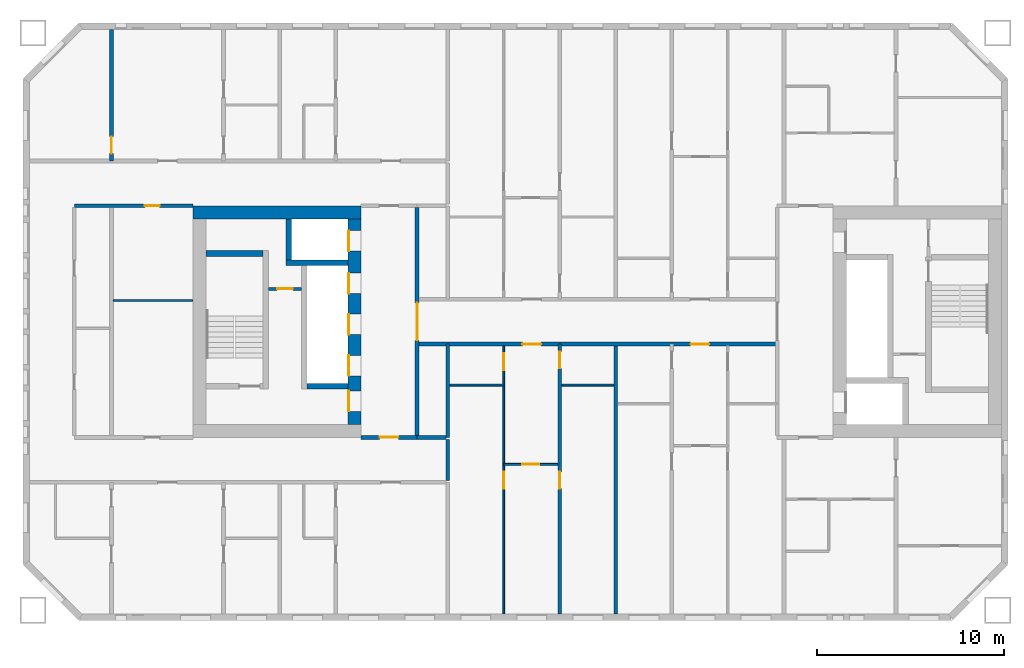
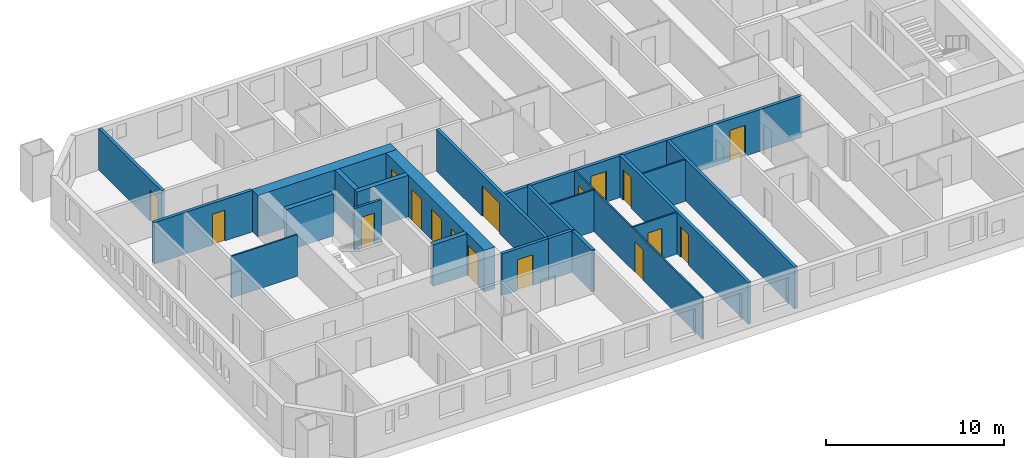
# One storey, part 4 of 17: 22 walls, 17 doors, 17 openings.
"""IFC4 building model written with IfcOpenShell, lengths in metres."""

import ifcopenshell
import ifcopenshell.guid

model = None  # the IFC model being written
_history = None  # IfcOwnerHistory: only IFC2X3 demands one
_inside = {}  # id of a spatial element -> (the spatial element, [elements in it])
_under = {}  # id of a project, library or spatial element -> (it, [spatial elements below it])
_declared = {}  # id of a project -> (the project, [libraries it declares])
_typed = {}  # id of a type object -> (the type object, [elements of that type])
_made_of = {}  # id of a material, layer set ... -> (it, [elements and type objects made of it])


def new_model(schema):
    """Start an empty IFC model of exactly this schema.

    Asked for "IFC4X3", IfcOpenShell would pick the latest addendum, in which some entities
    have other attributes; the version numbers below select the first issue.
    IFC2X3 requires an IfcOwnerHistory on every rooted entity: one is made here for all.
    """
    global model, _history
    if schema == "IFC4X3":
        model = ifcopenshell.file(schema_version=(4, 3, 0, 0))
    else:
        model = ifcopenshell.file(schema=schema)
    _inside.clear()
    _under.clear()
    _declared.clear()
    _typed.clear()
    _made_of.clear()
    _history = None
    if model.schema == "IFC2X3":
        org = make("IfcOrganization", Name="unknown")
        user = make(
            "IfcPersonAndOrganization",
            ThePerson=make("IfcPerson", FamilyName="unknown"),
            TheOrganization=org,
        )
        app = make(
            "IfcApplication",
            ApplicationDeveloper=org,
            Version="unknown",
            ApplicationFullName="unknown",
            ApplicationIdentifier="unknown",
        )
        _history = make(
            "IfcOwnerHistory",
            OwningUser=user,
            OwningApplication=app,
            ChangeAction="ADDED",
            CreationDate=0,
        )
    return model


def make(cls, **values):
    """One entity of the class cls with the attributes given. An attribute that is None is left unset."""
    return model.create_entity(
        cls, **{name: value for name, value in values.items() if value is not None}
    )


def rooted(cls, **values):
    """An entity with a GlobalId (a new one), such as an element, a storey or a relation."""
    return make(cls, GlobalId=ifcopenshell.guid.new(), OwnerHistory=_history, **values)


def si_unit(unit_type, name, prefix=None):
    """IfcSIUnit, for example si_unit("LENGTHUNIT", "METRE", prefix="MILLI")."""
    return make("IfcSIUnit", UnitType=unit_type, Prefix=prefix, Name=name)


def assignment(units):
    """IfcUnitAssignment: the units of a project."""
    return None if units is None else make("IfcUnitAssignment", Units=units)


def point(xyz):
    """IfcCartesianPoint."""
    return None if xyz is None else make("IfcCartesianPoint", Coordinates=xyz)


def direction(xyz):
    """IfcDirection."""
    return None if xyz is None else make("IfcDirection", DirectionRatios=xyz)


def frame(location, z_axis=None, x_axis=None):
    """IfcAxis2Placement3D, a coordinate frame: its origin and axes. An axis left out is left unset."""
    return make(
        "IfcAxis2Placement3D",
        Location=point(location),
        Axis=direction(z_axis),
        RefDirection=direction(x_axis),
    )


def frame_2d(location, x_axis=None):
    """IfcAxis2Placement2D, a coordinate frame in the plane: its origin and x axis."""
    return make(
        "IfcAxis2Placement2D", Location=point(location), RefDirection=direction(x_axis)
    )


def origin():
    """The frame at (0, 0, 0) with its axes left unset."""
    return frame((0.0, 0.0, 0.0))


def place(relative_to, where):
    """IfcLocalPlacement: puts the frame where relative to a parent placement (None: the world)."""
    return make(
        "IfcLocalPlacement", PlacementRelTo=relative_to, RelativePlacement=where
    )


def context(
    kind, dimensions, precision=None, world=None, true_north=None, identifier=None
):
    """IfcGeometricRepresentationContext, for example the 3D "Model" context."""
    return make(
        "IfcGeometricRepresentationContext",
        ContextIdentifier=identifier,
        ContextType=kind,
        CoordinateSpaceDimension=dimensions,
        Precision=precision,
        WorldCoordinateSystem=world,
        TrueNorth=true_north,
    )


def subcontext(parent, identifier, kind, view, scale=None):
    """IfcGeometricRepresentationSubContext, for example "Body" below "Model"."""
    return make(
        "IfcGeometricRepresentationSubContext",
        ContextIdentifier=identifier,
        ContextType=kind,
        ParentContext=parent,
        TargetScale=scale,
        TargetView=view,
    )


def project(units=None, contexts=None):
    """IfcProject with its units and contexts."""
    return rooted(
        "IfcProject",
        Name="project",
        RepresentationContexts=contexts,
        UnitsInContext=assignment(units),
    )


def spatial(cls, under=None, at=None, **own):
    """A site, building, storey or space (cls), placed at a placement, below another one or the project."""
    s = rooted(cls, ObjectPlacement=at, **own)
    if under is not None:
        _under.setdefault(under.id(), (under, []))[1].append(s)
    return s


def profile(cls, at=None, kind="AREA", **sizes):
    """A parametric profile (cls). Its sizes go by their IFC names, for example OverallWidth=200.0."""
    return make(cls, ProfileType=kind, Position=at, **sizes)


def rectangle(**sizes):
    """IfcRectangleProfileDef."""
    return profile("IfcRectangleProfileDef", **sizes)


def extrude(swept, where, along, depth):
    """IfcExtrudedAreaSolid: the profile swept, set in the frame where, extruded along a direction by depth."""
    return make(
        "IfcExtrudedAreaSolid",
        SweptArea=swept,
        Position=where,
        ExtrudedDirection=direction(along),
        Depth=depth,
    )


def shape(context_of_items, identifier, shape_type, items):
    """IfcShapeRepresentation: the items that make up one representation, for example the "Body"."""
    return make(
        "IfcShapeRepresentation",
        ContextOfItems=context_of_items,
        RepresentationIdentifier=identifier,
        RepresentationType=shape_type,
        Items=items,
    )


def material(Name=None, Category=None):
    """IfcMaterial."""
    return make("IfcMaterial", Name=Name, Category=Category)


def layer(
    of_material, thickness, ventilated=None, Name=None, Category=None, Priority=None
):
    """IfcMaterialLayer: one layer of a wall or slab, of a material (None: an air gap)."""
    return make(
        "IfcMaterialLayer",
        Material=of_material,
        LayerThickness=thickness,
        IsVentilated=ventilated,
        Name=Name,
        Category=Category,
        Priority=Priority,
    )


def layer_set(layers, Name=None):
    """IfcMaterialLayerSet."""
    return make("IfcMaterialLayerSet", MaterialLayers=layers, LayerSetName=Name)


def made_of(thing, what):
    """Note that an element or type object is made of a material, layer set ...; save() writes the relation."""
    if what is not None:
        _made_of.setdefault(what.id(), (what, []))[1].append(thing)
    return thing


def type_object(cls, material=None, **own):
    """A type object (cls), such as IfcWallType, which elements share."""
    return made_of(rooted(cls, **own), material)


def element(
    cls,
    number,
    at=None,
    inside=None,
    cuts=None,
    type_object=None,
    material=None,
    context=None,
    identifier="Body",
    shape_type=None,
    held_by="IfcProductDefinitionShape",
    body=None,
    shapes=None,
    **own,
):
    """One element of the class cls, such as IfcWall. Its Tag is "e" and its number.

    at: its placement. inside: the storey or other place that contains it. cuts: it is an
    opening in that element (IfcRelVoidsElement). A single representation is given by context,
    identifier, shape_type and body (its items); several are given by shapes. held_by: the class
    of the entity that holds the representations. save() writes the other relations.
    """
    e = rooted(cls, Tag="e%d" % number, ObjectPlacement=at, **own)
    if body is not None:
        shapes = [shape(context, identifier, shape_type, body)]
    if shapes is not None:
        e.Representation = make(held_by, Representations=shapes)
    if inside is not None:
        _inside.setdefault(inside.id(), (inside, []))[1].append(e)
    if cuts is not None:
        rooted(
            "IfcRelVoidsElement", RelatingBuildingElement=cuts, RelatedOpeningElement=e
        )
    if type_object is not None:
        _typed.setdefault(type_object.id(), (type_object, []))[1].append(e)
    return made_of(e, material)


def fill(opening, filler):
    """IfcRelFillsElement: the door or window that sits in an opening."""
    return rooted(
        "IfcRelFillsElement",
        RelatingOpeningElement=opening,
        RelatedBuildingElement=filler,
    )


def aggregate(whole, parts):
    """IfcRelAggregates: a whole, such as a stair, and the parts it consists of."""
    return rooted("IfcRelAggregates", RelatingObject=whole, RelatedObjects=parts)


def save(model, path):
    """Write the relations noted so far, then the file.

    IfcRelAggregates (storeys below a building ...), IfcRelContainedInSpatialStructure (elements
    in a storey), IfcRelDefinesByType, IfcRelAssociatesMaterial and IfcRelDeclares: one each for
    every whole, place, type object, material and project.
    """
    for whole, parts in _under.values():
        aggregate(whole, parts)
    for where, things in _inside.values():
        rooted(
            "IfcRelContainedInSpatialStructure",
            RelatedElements=things,
            RelatingStructure=where,
        )
    for kind, things in _typed.values():
        rooted("IfcRelDefinesByType", RelatedObjects=things, RelatingType=kind)
    for what, things in _made_of.values():
        rooted("IfcRelAssociatesMaterial", RelatedObjects=things, RelatingMaterial=what)
    for by, libraries in _declared.values():
        rooted("IfcRelDeclares", RelatingContext=by, RelatedDefinitions=libraries)
    model.write(path)


model = new_model("IFC4")

# Units and contexts
model_context = context("Model", 3, precision=1e-05, world=origin(), true_north=direction((0.0, 1.0)))
body_context = subcontext(model_context, "Body", "Model", "MODEL_VIEW")
ifc_project = project(units=[si_unit("LENGTHUNIT", "METRE"), si_unit("AREAUNIT", "SQUARE_METRE"), si_unit("VOLUMEUNIT", "CUBIC_METRE"), si_unit("PLANEANGLEUNIT", "RADIAN"), si_unit("MASSUNIT", "GRAM", prefix="KILO")], contexts=[model_context])

# Site, building, storey
site_placement = place(None, origin())
site = spatial("IfcSite", under=ifc_project, at=site_placement, CompositionType="ELEMENT")
building_placement = place(site_placement, origin())
building = spatial("IfcBuilding", under=site, at=building_placement, Name="Tuart Gate Housing", CompositionType="ELEMENT")
storey_placement = place(building_placement, frame((0.0, 0.0, 71.60009765625)))
storey = spatial("IfcBuildingStorey", under=building, at=storey_placement, Name="L19", CompositionType="ELEMENT", Elevation=71.60009765625)

# Wall, opening, door
ifc_material_1 = material(Name="Plasterboard partition")
ifc_layer_1 = layer(ifc_material_1, 0.14990234375)
ifc_layer_set_1 = layer_set([ifc_layer_1], Name="Core partition 150")
wall_type_1 = type_object("IfcWallType", Name="Core partition 150", PredefinedType="PARTITIONING", material=ifc_layer_set_1)
wall_1_placement = place(storey_placement, frame((38.159912109375, 71.75, 0.0), z_axis=(0.0, 0.0, 1.0), x_axis=(-1.0, 0.0, 0.0)))
wall_1 = element("IfcWall", 1, at=wall_1_placement, inside=storey, type_object=wall_type_1, Name="Core partition AK.3", PredefinedType="PARTITIONING", context=body_context, shape_type="SweptSolid", body=[
    extrude(rectangle(XDim=1.75, YDim=0.14990234375, at=frame_2d((0.875, 0.0))), origin(), (0.0, 0.0, 1.0), 2.849853515625),
])
opening_1_placement = place(wall_1_placement, frame((0.449951171875, 0.0, 0.0)))
opening_1 = element("IfcOpeningElement", 2, at=opening_1_placement, cuts=wall_1, Name="Opening D858", PredefinedType="OPENING", context=body_context, shape_type="SweptSolid", body=[
    extrude(rectangle(XDim=0.85009765625, YDim=2.10009765625, at=frame_2d((0.425048828125, 1.050048828125))), frame((0.0, 0.0849609375, 0.0), z_axis=(0.0, -1.0, 0.0), x_axis=(1.0, 0.0, 0.0)), (0.0, 0.0, 1.0), 0.169921875),
])
ifc_material_2 = material(Name="Steel fire door", Category="steel")
door_type_1 = type_object("IfcDoorType", Name="Riser door 850 x 2100 RH", OperationType="SINGLE_SWING_RIGHT", PredefinedType="DOOR", material=ifc_material_2)
door_1_placement = place(opening_1_placement, frame((0.85009765625, 0.0, 0.0), z_axis=(0.0, 0.0, 1.0), x_axis=(-1.0, 0.0, 0.0)))
door_1 = element("IfcDoor", 3, at=door_1_placement, inside=storey, type_object=door_type_1, Name="Service room door AK.E1", OperationType="SINGLE_SWING_RIGHT", OverallHeight=2.10009765625, OverallWidth=0.85009765625, PredefinedType="DOOR", context=body_context, shape_type="SweptSolid", body=[
    extrude(rectangle(XDim=0.85009765625, YDim=2.10009765625, at=frame_2d((0.425048828125, 1.050048828125))), frame((0.0, 0.025146484375, 0.0), z_axis=(0.0, -1.0, 0.0), x_axis=(1.0, 0.0, 0.0)), (0.0, 0.0, 1.0), 0.050048828125),
])
fill(opening_1, door_1)

# Walls
ifc_material_3 = material(Name="Concrete C50", Category="concrete")
ifc_layer_2 = layer(ifc_material_3, 0.300048828125)
ifc_layer_set_2 = layer_set([ifc_layer_2], Name="Core wall 300 C50")
wall_type_2 = type_object("IfcWallType", Name="Core wall 300 C50", PredefinedType="SHEAR", material=ifc_layer_set_2)
wall_2_placement = place(storey_placement, frame((36.110107421875, 73.64990234375, 0.0), z_axis=(0.0, 0.0, 1.0), x_axis=(-1.0, 0.0, 0.0)))
element("IfcWall", 4, at=wall_2_placement, inside=storey, type_object=wall_type_2, Name="Core wall AK.1", PredefinedType="SHEAR", context=body_context, shape_type="SweptSolid", body=[
    extrude(rectangle(XDim=3.050048828125, YDim=0.300048828125, at=frame_2d((1.52490234375, 0.0))), origin(), (0.0, 0.0, 1.0), 2.849853515625),
])
wall_3_placement = place(storey_placement, frame((40.659912109375, 73.14990234375, 0.0), z_axis=(0.0, 0.0, 1.0), x_axis=(-1.0, 0.0, 0.0)))
element("IfcWall", 5, at=wall_3_placement, inside=storey, type_object=wall_type_2, Name="Core wall AK.2", PredefinedType="SHEAR", context=body_context, shape_type="SweptSolid", body=[
    extrude(rectangle(XDim=3.31982421875, YDim=0.300048828125, at=frame_2d((1.659912109375, 0.0))), origin(), (0.0, 0.0, 1.0), 2.849853515625),
])
for number, where, z_axis, x_axis, name in (
    (6, (40.659912109375, 66.550048828125, 0.0), (0.0, 0.0, 1.0), (-1.0, 0.0, 0.0), "Core wall AK.4"),
    (7, (37.489990234375, 75.5, 0.0), (0.0, 0.0, 1.0), (0.0, -1.0, 0.0), "Core wall AK.7"),
):
    element("IfcWall", number, at=place(storey_placement, frame(where, z_axis=z_axis, x_axis=x_axis)), inside=storey, type_object=wall_type_2, Name=name, PredefinedType="SHEAR", context=body_context, shape_type="SweptSolid", body=[
        extrude(rectangle(XDim=2.199951171875, YDim=0.300048828125, at=frame_2d((1.10009765625, 0.0))), origin(), (0.0, 0.0, 1.0), 2.849853515625),
    ])

# Wall, openings, doors
ifc_material_4 = material(Name="Concrete C50", Category="concrete")
ifc_layer_3 = layer(ifc_material_4, 0.699951171875)
ifc_layer_set_3 = layer_set([ifc_layer_3], Name="Core wall 700 C50")
wall_type_3 = type_object("IfcWallType", Name="Core wall 700 C50", PredefinedType="SHEAR", material=ifc_layer_set_3)
wall_4_placement = place(storey_placement, frame((41.010009765625, 75.5, 0.0), z_axis=(0.0, 0.0, 1.0), x_axis=(0.0, -1.0, 0.0)))
wall_4 = element("IfcWall", 8, at=wall_4_placement, inside=storey, type_object=wall_type_3, Name="Core wall AK front", PredefinedType="SHEAR", context=body_context, shape_type="SweptSolid", body=[
    extrude(rectangle(XDim=11.0, YDim=0.699951171875, at=frame_2d((5.5, 0.0))), origin(), (0.0, 0.0, 1.0), 2.849853515625),
])
opening_2_placement = place(wall_4_placement, frame((0.625, 0.0, 0.0)))
opening_2 = element("IfcOpeningElement", 9, at=opening_2_placement, cuts=wall_4, Name="Opening LD-FA2", PredefinedType="OPENING", context=body_context, shape_type="SweptSolid", body=[
    extrude(rectangle(XDim=1.10009765625, YDim=2.10009765625, at=frame_2d((0.550048828125, 1.050048828125))), frame((0.0, 0.35986328125, 0.0), z_axis=(0.0, -1.0, 0.0), x_axis=(1.0, 0.0, 0.0)), (0.0, 0.0, 1.0), 0.719970703125),
])
opening_3_placement = place(wall_4_placement, frame((2.89990234375, 0.0, 0.0)))
opening_3 = element("IfcOpeningElement", 10, at=opening_3_placement, cuts=wall_4, Name="Opening LD-LA4", PredefinedType="OPENING", context=body_context, shape_type="SweptSolid", body=[
    extrude(rectangle(XDim=1.10009765625, YDim=2.10009765625, at=frame_2d((0.550048828125, 1.050048828125))), frame((0.0, 0.35986328125, 0.0), z_axis=(0.0, -1.0, 0.0), x_axis=(1.0, 0.0, 0.0)), (0.0, 0.0, 1.0), 0.719970703125),
])
opening_4_placement = place(wall_4_placement, frame((5.10009765625, 0.0, 0.0)))
opening_4 = element("IfcOpeningElement", 11, at=opening_4_placement, cuts=wall_4, Name="Opening LD-LA5", PredefinedType="OPENING", context=body_context, shape_type="SweptSolid", body=[
    extrude(rectangle(XDim=1.10009765625, YDim=2.10009765625, at=frame_2d((0.550048828125, 1.050048828125))), frame((0.0, 0.35986328125, 0.0), z_axis=(0.0, -1.0, 0.0), x_axis=(1.0, 0.0, 0.0)), (0.0, 0.0, 1.0), 0.719970703125),
])
opening_5_placement = place(wall_4_placement, frame((7.300048828125, 0.0, 0.0)))
opening_5 = element("IfcOpeningElement", 12, at=opening_5_placement, cuts=wall_4, Name="Opening LD-LA6", PredefinedType="OPENING", context=body_context, shape_type="SweptSolid", body=[
    extrude(rectangle(XDim=1.10009765625, YDim=2.10009765625, at=frame_2d((0.550048828125, 1.050048828125))), frame((0.0, 0.35986328125, 0.0), z_axis=(0.0, -1.0, 0.0), x_axis=(1.0, 0.0, 0.0)), (0.0, 0.0, 1.0), 0.719970703125),
])
opening_6_placement = place(wall_4_placement, frame((9.199951171875, 0.0, 0.0)))
opening_6 = element("IfcOpeningElement", 13, at=opening_6_placement, cuts=wall_4, Name="Opening D863", PredefinedType="OPENING", context=body_context, shape_type="SweptSolid", body=[
    extrude(rectangle(XDim=1.10009765625, YDim=2.10009765625, at=frame_2d((0.550048828125, 1.050048828125))), frame((0.0, 0.35986328125, 0.0), z_axis=(0.0, -1.0, 0.0), x_axis=(1.0, 0.0, 0.0)), (0.0, 0.0, 1.0), 0.719970703125),
])
ifc_material_5 = material(Name="Stainless steel", Category="steel")
door_type_2 = type_object("IfcDoorType", Name="Landing door 1100 x 2100", OperationType="DOUBLE_DOOR_SLIDING", PredefinedType="DOOR", material=ifc_material_5)
door_2_placement = place(opening_2_placement, origin())
door_2 = element("IfcDoor", 14, at=door_2_placement, inside=storey, type_object=door_type_2, Name="Lift landing door FA2", OperationType="DOUBLE_DOOR_SLIDING", OverallHeight=2.10009765625, OverallWidth=1.10009765625, PredefinedType="DOOR", context=body_context, shape_type="SweptSolid", body=[
    extrude(rectangle(XDim=1.10009765625, YDim=2.10009765625, at=frame_2d((0.550048828125, 1.050048828125))), frame((0.0, -0.28515625, 0.0), z_axis=(0.0, -1.0, 0.0), x_axis=(1.0, 0.0, 0.0)), (0.0, 0.0, 1.0), 0.050048828125),
])
fill(opening_2, door_2)
door_3_placement = place(opening_3_placement, origin())
door_3 = element("IfcDoor", 15, at=door_3_placement, inside=storey, type_object=door_type_2, Name="Lift landing door LA4", OperationType="DOUBLE_DOOR_SLIDING", OverallHeight=2.10009765625, OverallWidth=1.10009765625, PredefinedType="DOOR", context=body_context, shape_type="SweptSolid", body=[
    extrude(rectangle(XDim=1.10009765625, YDim=2.10009765625, at=frame_2d((0.550048828125, 1.050048828125))), frame((0.0, -0.28515625, 0.0), z_axis=(0.0, -1.0, 0.0), x_axis=(1.0, 0.0, 0.0)), (0.0, 0.0, 1.0), 0.050048828125),
])
fill(opening_3, door_3)
door_4_placement = place(opening_4_placement, origin())
door_4 = element("IfcDoor", 16, at=door_4_placement, inside=storey, type_object=door_type_2, Name="Lift landing door LA5", OperationType="DOUBLE_DOOR_SLIDING", OverallHeight=2.10009765625, OverallWidth=1.10009765625, PredefinedType="DOOR", context=body_context, shape_type="SweptSolid", body=[
    extrude(rectangle(XDim=1.10009765625, YDim=2.10009765625, at=frame_2d((0.550048828125, 1.050048828125))), frame((0.0, -0.28515625, 0.0), z_axis=(0.0, -1.0, 0.0), x_axis=(1.0, 0.0, 0.0)), (0.0, 0.0, 1.0), 0.050048828125),
])
fill(opening_4, door_4)
door_5_placement = place(opening_5_placement, origin())
door_5 = element("IfcDoor", 17, at=door_5_placement, inside=storey, type_object=door_type_2, Name="Lift landing door LA6", OperationType="DOUBLE_DOOR_SLIDING", OverallHeight=2.10009765625, OverallWidth=1.10009765625, PredefinedType="DOOR", context=body_context, shape_type="SweptSolid", body=[
    extrude(rectangle(XDim=1.10009765625, YDim=2.10009765625, at=frame_2d((0.550048828125, 1.050048828125))), frame((0.0, -0.28515625, 0.0), z_axis=(0.0, -1.0, 0.0), x_axis=(1.0, 0.0, 0.0)), (0.0, 0.0, 1.0), 0.050048828125),
])
fill(opening_5, door_5)
ifc_material_6 = material(Name="Steel fire door", Category="steel")
door_type_3 = type_object("IfcDoorType", Name="Lobby door 1100 x 2100 RH", OperationType="SINGLE_SWING_RIGHT", PredefinedType="DOOR", material=ifc_material_6)
door_6_placement = place(opening_6_placement, frame((1.10009765625, 0.0, 0.0), z_axis=(0.0, 0.0, 1.0), x_axis=(-1.0, 0.0, 0.0)))
door_6 = element("IfcDoor", 18, at=door_6_placement, inside=storey, type_object=door_type_3, Name="Lobby entry door AK.EN", OperationType="SINGLE_SWING_RIGHT", OverallHeight=2.10009765625, OverallWidth=1.10009765625, PredefinedType="DOOR", context=body_context, shape_type="SweptSolid", body=[
    extrude(rectangle(XDim=1.10009765625, YDim=2.10009765625, at=frame_2d((0.550048828125, 1.050048828125))), frame((0.0, 0.335205078125, 0.0), z_axis=(0.0, -1.0, 0.0), x_axis=(1.0, 0.0, 0.0)), (0.0, 0.0, 1.0), 0.050048828125),
])
fill(opening_6, door_6)

# Walls
wall_5_placement = place(storey_placement, frame((41.360107421875, 75.85009765625, 0.0), z_axis=(0.0, 0.0, 1.0), x_axis=(-1.0, 0.0, 0.0)))
element("IfcWall", 19, at=wall_5_placement, inside=storey, type_object=wall_type_3, Name="Core wall AK south", PredefinedType="SHEAR", context=body_context, shape_type="SweptSolid", body=[
    extrude(rectangle(XDim=9.0, YDim=0.699951171875, at=frame_2d((4.5, 0.0))), origin(), (0.0, 0.0, 1.0), 2.849853515625),
])
ifc_material_7 = material(Name="Concrete masonry 15 MPa", Category="masonry")
ifc_layer_4 = layer(ifc_material_7, 0.199951171875)
ifc_layer_set_4 = layer_set([ifc_layer_4], Name="Corridor wall masonry 200")
wall_type_4 = type_object("IfcWallType", Name="Corridor wall masonry 200", PredefinedType="PARTITIONING", material=ifc_layer_set_4)
wall_6_placement = place(storey_placement, frame((44.360107421875, 63.800048828125, 0.0), z_axis=(0.0, 0.0, 1.0), x_axis=(1.0, 0.0, 0.0)))
element("IfcWall", 20, at=wall_6_placement, inside=storey, type_object=wall_type_4, Name="Corridor wall masonry 200", PredefinedType="PARTITIONING", context=body_context, shape_type="SweptSolid", body=[
    extrude(rectangle(XDim=1.539794921875, YDim=0.199951171875, at=frame_2d((0.77001953125, 0.0))), origin(), (0.0, 0.0, 1.0), 2.849853515625),
])

# Wall, openings, doors
wall_7_placement = place(storey_placement, frame((44.360107421875, 68.800048828125, 0.0), z_axis=(0.0, 0.0, 1.0), x_axis=(1.0, 0.0, 0.0)))
wall_7 = element("IfcWall", 21, at=wall_7_placement, inside=storey, type_object=wall_type_4, Name="Corridor wall masonry 200", PredefinedType="PARTITIONING", context=body_context, shape_type="SweptSolid", body=[
    extrude(rectangle(XDim=19.27978515625, YDim=0.199951171875, at=frame_2d((9.639892578125, 0.0))), origin(), (0.0, 0.0, 1.0), 2.849853515625),
])
opening_7_placement = place(wall_7_placement, frame((14.639892578125, 0.0, 0.0)))
opening_7 = element("IfcOpeningElement", 22, at=opening_7_placement, cuts=wall_7, Name="Opening D868", PredefinedType="OPENING", context=body_context, shape_type="SweptSolid", body=[
    extrude(rectangle(XDim=1.0, YDim=2.10009765625, at=frame_2d((0.5, 1.050048828125))), frame((0.0, 0.10986328125, 0.0), z_axis=(0.0, -1.0, 0.0), x_axis=(1.0, 0.0, 0.0)), (0.0, 0.0, 1.0), 0.219970703125),
])
opening_8_placement = place(wall_7_placement, frame((5.639892578125, 0.0, 0.0)))
opening_8 = element("IfcOpeningElement", 23, at=opening_8_placement, cuts=wall_7, Name="Opening D869", PredefinedType="OPENING", context=body_context, shape_type="SweptSolid", body=[
    extrude(rectangle(XDim=1.0, YDim=2.10009765625, at=frame_2d((0.5, 1.050048828125))), frame((0.0, 0.10986328125, 0.0), z_axis=(0.0, -1.0, 0.0), x_axis=(1.0, 0.0, 0.0)), (0.0, 0.0, 1.0), 0.219970703125),
])
ifc_material_8 = material(Name="Timber door leaf in steel frame", Category="steel")
door_type_4 = type_object("IfcDoorType", Name="Flat entrance door 1000 RH", OperationType="SINGLE_SWING_RIGHT", PredefinedType="DOOR", material=ifc_material_8)
door_7_placement = place(opening_7_placement, frame((1.0, 0.0, 0.0), z_axis=(0.0, 0.0, 1.0), x_axis=(-1.0, 0.0, 0.0)))
door_7 = element("IfcDoor", 24, at=door_7_placement, inside=storey, type_object=door_type_4, Name="Flat entrance door", OperationType="SINGLE_SWING_RIGHT", OverallHeight=2.10009765625, OverallWidth=1.0, PredefinedType="DOOR", context=body_context, shape_type="SweptSolid", body=[
    extrude(rectangle(XDim=1.0, YDim=2.10009765625, at=frame_2d((0.5, 1.050048828125))), frame((0.0, 0.025146484375, 0.0), z_axis=(0.0, -1.0, 0.0), x_axis=(1.0, 0.0, 0.0)), (0.0, 0.0, 1.0), 0.050048828125),
])
fill(opening_7, door_7)
door_8_placement = place(opening_8_placement, frame((1.0, 0.0, 0.0), z_axis=(0.0, 0.0, 1.0), x_axis=(-1.0, 0.0, 0.0)))
door_8 = element("IfcDoor", 25, at=door_8_placement, inside=storey, type_object=door_type_4, Name="Flat entrance door", OperationType="SINGLE_SWING_RIGHT", OverallHeight=2.10009765625, OverallWidth=1.0, PredefinedType="DOOR", context=body_context, shape_type="SweptSolid", body=[
    extrude(rectangle(XDim=1.0, YDim=2.10009765625, at=frame_2d((0.5, 1.050048828125))), frame((0.0, 0.025146484375, 0.0), z_axis=(0.0, -1.0, 0.0), x_axis=(1.0, 0.0, 0.0)), (0.0, 0.0, 1.0), 0.050048828125),
])
fill(opening_8, door_8)

# Wall, opening, door
wall_8_placement = place(storey_placement, frame((26.010009765625, 76.199951171875, 0.0), z_axis=(0.0, 0.0, 1.0), x_axis=(1.0, 0.0, 0.0)))
wall_8 = element("IfcWall", 26, at=wall_8_placement, inside=storey, type_object=wall_type_4, Name="Corridor wall masonry 200", PredefinedType="PARTITIONING", context=body_context, shape_type="SweptSolid", body=[
    extrude(rectangle(XDim=6.35009765625, YDim=0.199951171875, at=frame_2d((3.175048828125, 0.0))), origin(), (0.0, 0.0, 1.0), 2.849853515625),
])
opening_9_placement = place(wall_8_placement, frame((3.77001953125, 0.0, 0.0)))
opening_9 = element("IfcOpeningElement", 27, at=opening_9_placement, cuts=wall_8, Name="Opening D854", PredefinedType="OPENING", context=body_context, shape_type="SweptSolid", body=[
    extrude(rectangle(XDim=0.800048828125, YDim=2.10009765625, at=frame_2d((0.39990234375, 1.050048828125))), frame((0.0, 0.10986328125, 0.0), z_axis=(0.0, -1.0, 0.0), x_axis=(1.0, 0.0, 0.0)), (0.0, 0.0, 1.0), 0.219970703125),
])
ifc_material_9 = material(Name="Timber door leaf in steel frame", Category="steel")
door_type_5 = type_object("IfcDoorType", Name="Store door 800 RH", OperationType="SINGLE_SWING_RIGHT", PredefinedType="DOOR", material=ifc_material_9)
door_9_placement = place(opening_9_placement, frame((0.800048828125, 0.0, 0.0), z_axis=(0.0, 0.0, 1.0), x_axis=(-1.0, 0.0, 0.0)))
door_9 = element("IfcDoor", 28, at=door_9_placement, inside=storey, type_object=door_type_5, Name="Store door", OperationType="SINGLE_SWING_RIGHT", OverallHeight=2.10009765625, OverallWidth=0.800048828125, PredefinedType="DOOR", context=body_context, shape_type="SweptSolid", body=[
    extrude(rectangle(XDim=0.800048828125, YDim=2.10009765625, at=frame_2d((0.400146484375, 1.050048828125))), frame((0.0, 0.025146484375, 0.0), z_axis=(0.0, -1.0, 0.0), x_axis=(1.0, 0.0, 0.0)), (0.0, 0.0, 1.0), 0.050048828125),
])
fill(opening_9, door_9)

# Wall
wall_9_placement = place(storey_placement, frame((46.0, 61.5, 0.0), z_axis=(0.0, 0.0, 1.0), x_axis=(0.0, 1.0, 0.0)))
element("IfcWall", 29, at=wall_9_placement, inside=storey, type_object=wall_type_4, Name="Corridor wall masonry 200", PredefinedType="PARTITIONING", context=body_context, shape_type="SweptSolid", body=[
    extrude(rectangle(XDim=2.199951171875, YDim=0.199951171875, at=frame_2d((1.10009765625, 0.0))), origin(), (0.0, 0.0, 1.0), 2.849853515625),
])

# Wall, opening, door
ifc_material_10 = material(Name="Concrete masonry 15 MPa", Category="masonry")
ifc_layer_5 = layer(ifc_material_10, 0.199951171875)
ifc_layer_set_5 = layer_set([ifc_layer_5], Name="Enclosure wall masonry 200")
wall_type_5 = type_object("IfcWallType", Name="Enclosure wall masonry 200", PredefinedType="PARTITIONING", material=ifc_layer_set_5)
wall_10_placement = place(storey_placement, frame((41.360107421875, 63.800048828125, 0.0), z_axis=(0.0, 0.0, 1.0), x_axis=(1.0, 0.0, 0.0)))
wall_10 = element("IfcWall", 30, at=wall_10_placement, inside=storey, type_object=wall_type_5, Name="Enclosure wall masonry 200", PredefinedType="PARTITIONING", context=body_context, shape_type="SweptSolid", body=[
    extrude(rectangle(XDim=3.0, YDim=0.199951171875, at=frame_2d((1.5, 0.0))), origin(), (0.0, 0.0, 1.0), 2.849853515625),
])
opening_10_placement = place(wall_10_placement, frame((1.0, 0.0, 0.0)))
opening_10 = element("IfcOpeningElement", 31, at=opening_10_placement, cuts=wall_10, Name="Opening D873", PredefinedType="OPENING", context=body_context, shape_type="SweptSolid", body=[
    extrude(rectangle(XDim=1.0, YDim=2.10009765625, at=frame_2d((0.5, 1.050048828125))), frame((0.0, 0.10986328125, 0.0), z_axis=(0.0, -1.0, 0.0), x_axis=(1.0, 0.0, 0.0)), (0.0, 0.0, 1.0), 0.219970703125),
])
ifc_material_11 = material(Name="Timber door leaf in steel frame", Category="steel")
door_type_6 = type_object("IfcDoorType", Name="Fire door 1000", OperationType="SINGLE_SWING_LEFT", PredefinedType="DOOR", material=ifc_material_11)
door_10_placement = place(opening_10_placement, frame((1.0, 0.0, 0.0), z_axis=(0.0, 0.0, 1.0), x_axis=(-1.0, 0.0, 0.0)))
door_10 = element("IfcDoor", 32, at=door_10_placement, inside=storey, type_object=door_type_6, Name="Fire door", OperationType="SINGLE_SWING_LEFT", OverallHeight=2.10009765625, OverallWidth=1.0, PredefinedType="DOOR", context=body_context, shape_type="SweptSolid", body=[
    extrude(rectangle(XDim=1.0, YDim=2.10009765625, at=frame_2d((0.5, 1.050048828125))), frame((0.0, 0.025146484375, 0.0), z_axis=(0.0, -1.0, 0.0), x_axis=(1.0, 0.0, 0.0)), (0.0, 0.0, 1.0), 0.050048828125),
])
fill(opening_10, door_10)

ifc_material_12 = material(Name="Plasterboard partition")
ifc_layer_6 = layer(ifc_material_12, 0.199951171875)
ifc_layer_set_6 = layer_set([ifc_layer_6], Name="Lobby wall 200")
wall_type_6 = type_object("IfcWallType", Name="Lobby wall 200", PredefinedType="PARTITIONING", material=ifc_layer_set_6)
wall_11_placement = place(storey_placement, frame((44.360107421875, 63.89990234375, 0.0), z_axis=(0.0, 0.0, 1.0), x_axis=(0.0, 1.0, 0.0)))
wall_11 = element("IfcWall", 33, at=wall_11_placement, inside=storey, type_object=wall_type_6, Name="Lift lobby wall AK", PredefinedType="PARTITIONING", context=body_context, shape_type="SweptSolid", body=[
    extrude(rectangle(XDim=12.2001953125, YDim=0.199951171875, at=frame_2d((6.10009765625, 0.0))), origin(), (0.0, 0.0, 1.0), 2.849853515625),
])
opening_11_placement = place(wall_11_placement, frame((5.10009765625, 0.0, 0.0)))
opening_11 = element("IfcOpeningElement", 34, at=opening_11_placement, cuts=wall_11, Name="Opening D864", PredefinedType="OPENING", context=body_context, shape_type="SweptSolid", body=[
    extrude(rectangle(XDim=2.0, YDim=2.10009765625, at=frame_2d((1.0, 1.050048828125))), frame((0.0, 0.10986328125, 0.0), z_axis=(0.0, -1.0, 0.0), x_axis=(1.0, 0.0, 0.0)), (0.0, 0.0, 1.0), 0.219970703125),
])
ifc_material_13 = material(Name="Steel fire door", Category="steel")
door_type_7 = type_object("IfcDoorType", Name="Smoke door 2000 x 2100", OperationType="DOUBLE_DOOR_SINGLE_SWING", PredefinedType="DOOR", material=ifc_material_13)
door_11_placement = place(opening_11_placement, origin())
door_11 = element("IfcDoor", 35, at=door_11_placement, inside=storey, type_object=door_type_7, Name="Lift lobby smoke door AK", OperationType="DOUBLE_DOOR_SINGLE_SWING", OverallHeight=2.10009765625, OverallWidth=2.0, PredefinedType="DOOR", context=body_context, shape_type="SweptSolid", body=[
    extrude(rectangle(XDim=2.0, YDim=2.10009765625, at=frame_2d((1.0, 1.050048828125))), frame((0.0, 0.02490234375, 0.0), z_axis=(0.0, -1.0, 0.0), x_axis=(1.0, 0.0, 0.0)), (0.0, 0.0, 1.0), 0.050048828125),
])
fill(opening_11, door_11)

ifc_material_14 = material(Name="Gypsum board on steel studs", Category="steel")
ifc_layer_7 = layer(ifc_material_14, 0.10009765625)
ifc_layer_set_7 = layer_set([ifc_layer_7], Name="Partition 100")
wall_type_7 = type_object("IfcWallType", Name="Partition 100", PredefinedType="PARTITIONING", material=ifc_layer_set_7)
wall_12_placement = place(storey_placement, frame((49.0, 62.360107421875, 0.0), z_axis=(0.0, 0.0, 1.0), x_axis=(1.0, 0.0, 0.0)))
wall_12 = element("IfcWall", 36, at=wall_12_placement, inside=storey, type_object=wall_type_7, Name="Partition 100", PredefinedType="PARTITIONING", context=body_context, shape_type="SweptSolid", body=[
    extrude(rectangle(XDim=2.89990234375, YDim=0.10009765625, at=frame_2d((1.449951171875, 0.0))), origin(), (0.0, 0.0, 1.0), 2.849853515625),
])
opening_12_placement = place(wall_12_placement, frame((1.0, 0.0, 0.0)))
opening_12 = element("IfcOpeningElement", 37, at=opening_12_placement, cuts=wall_12, Name="Opening D876", PredefinedType="OPENING", context=body_context, shape_type="SweptSolid", body=[
    extrude(rectangle(XDim=0.89990234375, YDim=2.10009765625, at=frame_2d((0.449951171875, 1.050048828125))), frame((0.0, 0.06005859375, 0.0), z_axis=(0.0, -1.0, 0.0), x_axis=(1.0, 0.0, 0.0)), (0.0, 0.0, 1.0), 0.1201171875),
])
ifc_material_15 = material(Name="Timber door leaf in steel frame", Category="steel")
door_type_8 = type_object("IfcDoorType", Name="Internal door 900", OperationType="SINGLE_SWING_LEFT", PredefinedType="DOOR", material=ifc_material_15)
door_12_placement = place(opening_12_placement, origin())
door_12 = element("IfcDoor", 38, at=door_12_placement, inside=storey, type_object=door_type_8, Name="Internal door", OperationType="SINGLE_SWING_LEFT", OverallHeight=2.10009765625, OverallWidth=0.89990234375, PredefinedType="DOOR", context=body_context, shape_type="SweptSolid", body=[
    extrude(rectangle(XDim=0.89990234375, YDim=2.10009765625, at=frame_2d((0.449951171875, 1.050048828125))), frame((0.0, 0.02490234375, 0.0), z_axis=(0.0, -1.0, 0.0), x_axis=(1.0, 0.0, 0.0)), (0.0, 0.0, 1.0), 0.050048828125),
])
fill(opening_12, door_12)

# Walls
wall_13_placement = place(storey_placement, frame((46.10009765625, 66.60009765625, 0.0), z_axis=(0.0, 0.0, 1.0), x_axis=(1.0, 0.0, 0.0)))
element("IfcWall", 39, at=wall_13_placement, inside=storey, type_object=wall_type_7, Name="Partition 100", PredefinedType="PARTITIONING", context=body_context, shape_type="SweptSolid", body=[
    extrude(rectangle(XDim=2.89990234375, YDim=0.10009765625, at=frame_2d((1.449951171875, 0.0))), origin(), (0.0, 0.0, 1.0), 2.849853515625),
])
wall_14_placement = place(storey_placement, frame((52.10009765625, 66.60009765625, 0.0), z_axis=(0.0, 0.0, 1.0), x_axis=(1.0, 0.0, 0.0)))
element("IfcWall", 40, at=wall_14_placement, inside=storey, type_object=wall_type_7, Name="Partition 100", PredefinedType="PARTITIONING", context=body_context, shape_type="SweptSolid", body=[
    extrude(rectangle(XDim=2.7998046875, YDim=0.10009765625, at=frame_2d((1.39990234375, 0.0))), origin(), (0.0, 0.0, 1.0), 2.849853515625),
])
wall_15_placement = place(storey_placement, frame((28.10009765625, 71.1298828125, 0.0), z_axis=(0.0, 0.0, 1.0), x_axis=(1.0, 0.0, 0.0)))
element("IfcWall", 41, at=wall_15_placement, inside=storey, type_object=wall_type_7, Name="Partition 100", PredefinedType="PARTITIONING", context=body_context, shape_type="SweptSolid", body=[
    extrude(rectangle(XDim=4.260009765625, YDim=0.10009765625, at=frame_2d((2.1298828125, 0.0))), origin(), (0.0, 0.0, 1.0), 2.849853515625),
])

# Wall, openings, doors
wall_16_placement = place(storey_placement, frame((49.0, 54.360107421875, 0.0), z_axis=(0.0, 0.0, 1.0), x_axis=(0.0, 1.0, 0.0)))
wall_16 = element("IfcWall", 42, at=wall_16_placement, inside=storey, type_object=wall_type_7, Name="Partition 100", PredefinedType="PARTITIONING", context=body_context, shape_type="SweptSolid", body=[
    extrude(rectangle(XDim=14.33984375, YDim=0.10009765625, at=frame_2d((7.169921875, 0.0))), origin(), (0.0, 0.0, 1.0), 2.849853515625),
])
opening_13_placement = place(wall_16_placement, frame((6.699951171875, 0.0, 0.0)))
opening_13 = element("IfcOpeningElement", 43, at=opening_13_placement, cuts=wall_16, Name="Opening D882", PredefinedType="OPENING", context=body_context, shape_type="SweptSolid", body=[
    extrude(rectangle(XDim=0.89990234375, YDim=2.10009765625, at=frame_2d((0.449951171875, 1.050048828125))), frame((0.0, 0.06005859375, 0.0), z_axis=(0.0, -1.0, 0.0), x_axis=(1.0, 0.0, 0.0)), (0.0, 0.0, 1.0), 0.1201171875),
])
opening_14_placement = place(wall_16_placement, frame((13.0400390625, 0.0, 0.0)))
opening_14 = element("IfcOpeningElement", 44, at=opening_14_placement, cuts=wall_16, Name="Opening D881", PredefinedType="OPENING", context=body_context, shape_type="SweptSolid", body=[
    extrude(rectangle(XDim=0.89990234375, YDim=2.10009765625, at=frame_2d((0.449951171875, 1.050048828125))), frame((0.0, 0.06005859375, 0.0), z_axis=(0.0, -1.0, 0.0), x_axis=(1.0, 0.0, 0.0)), (0.0, 0.0, 1.0), 0.1201171875),
])
ifc_material_16 = material(Name="Timber door leaf in steel frame", Category="steel")
door_type_9 = type_object("IfcDoorType", Name="Bathroom door 900 RH", OperationType="SINGLE_SWING_RIGHT", PredefinedType="DOOR", material=ifc_material_16)
door_13_placement = place(opening_14_placement, origin())
door_13 = element("IfcDoor", 45, at=door_13_placement, inside=storey, type_object=door_type_9, Name="Bathroom door", OperationType="SINGLE_SWING_RIGHT", OverallHeight=2.10009765625, OverallWidth=0.89990234375, PredefinedType="DOOR", context=body_context, shape_type="SweptSolid", body=[
    extrude(rectangle(XDim=0.89990234375, YDim=2.10009765625, at=frame_2d((0.449951171875, 1.050048828125))), frame((0.0, 0.02490234375, 0.0), z_axis=(0.0, -1.0, 0.0), x_axis=(1.0, 0.0, 0.0)), (0.0, 0.0, 1.0), 0.050048828125),
])
fill(opening_14, door_13)
ifc_material_17 = material(Name="Timber door leaf in steel frame", Category="steel")
door_type_10 = type_object("IfcDoorType", Name="Internal door 900 RH", OperationType="SINGLE_SWING_RIGHT", PredefinedType="DOOR", material=ifc_material_17)
door_14_placement = place(opening_13_placement, origin())
door_14 = element("IfcDoor", 46, at=door_14_placement, inside=storey, type_object=door_type_10, Name="Internal door", OperationType="SINGLE_SWING_RIGHT", OverallHeight=2.10009765625, OverallWidth=0.89990234375, PredefinedType="DOOR", context=body_context, shape_type="SweptSolid", body=[
    extrude(rectangle(XDim=0.89990234375, YDim=2.10009765625, at=frame_2d((0.449951171875, 1.050048828125))), frame((0.0, 0.02490234375, 0.0), z_axis=(0.0, -1.0, 0.0), x_axis=(1.0, 0.0, 0.0)), (0.0, 0.0, 1.0), 0.050048828125),
])
fill(opening_13, door_14)

# Wall, opening, door
ifc_material_18 = material(Name="Concrete C40", Category="concrete")
ifc_layer_8 = layer(ifc_material_18, 0.199951171875)
ifc_layer_set_8 = layer_set([ifc_layer_8], Name="Party wall concrete C40 200")
wall_type_8 = type_object("IfcWallType", Name="Party wall concrete C40 200", PredefinedType="SOLIDWALL", material=ifc_layer_set_8)
wall_17_placement = place(storey_placement, frame((28.0, 78.60009765625, 0.0), z_axis=(0.0, 0.0, 1.0), x_axis=(0.0, 1.0, 0.0)))
wall_17 = element("IfcWall", 47, at=wall_17_placement, inside=storey, type_object=wall_type_8, Name="Party wall concrete C40 200", PredefinedType="SOLIDWALL", context=body_context, shape_type="SweptSolid", body=[
    extrude(rectangle(XDim=7.039794921875, YDim=0.199951171875, at=frame_2d((3.52001953125, 0.0))), origin(), (0.0, 0.0, 1.0), 2.849853515625),
])
opening_15_placement = place(wall_17_placement, frame((0.39990234375, 0.0, 0.0)))
opening_15 = element("IfcOpeningElement", 48, at=opening_15_placement, cuts=wall_17, Name="Opening D833", PredefinedType="OPENING", context=body_context, shape_type="SweptSolid", body=[
    extrude(rectangle(XDim=0.89990234375, YDim=2.10009765625, at=frame_2d((0.449951171875, 1.050048828125))), frame((0.0, 0.10986328125, 0.0), z_axis=(0.0, -1.0, 0.0), x_axis=(1.0, 0.0, 0.0)), (0.0, 0.0, 1.0), 0.219970703125),
])
door_15_placement = place(opening_15_placement, origin())
door_15 = element("IfcDoor", 49, at=door_15_placement, inside=storey, type_object=door_type_8, Name="Internal door", OperationType="SINGLE_SWING_LEFT", OverallHeight=2.10009765625, OverallWidth=0.89990234375, PredefinedType="DOOR", context=body_context, shape_type="SweptSolid", body=[
    extrude(rectangle(XDim=0.89990234375, YDim=2.10009765625, at=frame_2d((0.449951171875, 1.050048828125))), frame((0.0, 0.02490234375, 0.0), z_axis=(0.0, -1.0, 0.0), x_axis=(1.0, 0.0, 0.0)), (0.0, 0.0, 1.0), 0.050048828125),
])
fill(opening_15, door_15)

# Wall
wall_18_placement = place(storey_placement, frame((46.0, 63.800048828125, 0.0), z_axis=(0.0, 0.0, 1.0), x_axis=(0.0, 1.0, 0.0)))
element("IfcWall", 50, at=wall_18_placement, inside=storey, type_object=wall_type_8, Name="Party wall concrete C40 200", PredefinedType="SOLIDWALL", context=body_context, shape_type="SweptSolid", body=[
    extrude(rectangle(XDim=5.0, YDim=0.199951171875, at=frame_2d((2.5, 0.0))), origin(), (0.0, 0.0, 1.0), 2.849853515625),
])

# Wall, openings, doors
wall_19_placement = place(storey_placement, frame((52.0, 54.360107421875, 0.0), z_axis=(0.0, 0.0, 1.0), x_axis=(0.0, 1.0, 0.0)))
wall_19 = element("IfcWall", 51, at=wall_19_placement, inside=storey, type_object=wall_type_8, Name="Party wall concrete C40 200", PredefinedType="SOLIDWALL", context=body_context, shape_type="SweptSolid", body=[
    extrude(rectangle(XDim=14.43994140625, YDim=0.199951171875, at=frame_2d((7.219970703125, 0.0))), origin(), (0.0, 0.0, 1.0), 2.849853515625),
])
opening_16_placement = place(wall_19_placement, frame((6.699951171875, 0.0, 0.0)))
opening_16 = element("IfcOpeningElement", 52, at=opening_16_placement, cuts=wall_19, Name="Opening D878", PredefinedType="OPENING", context=body_context, shape_type="SweptSolid", body=[
    extrude(rectangle(XDim=0.89990234375, YDim=2.10009765625, at=frame_2d((0.449951171875, 1.050048828125))), frame((0.0, 0.10986328125, 0.0), z_axis=(0.0, -1.0, 0.0), x_axis=(1.0, 0.0, 0.0)), (0.0, 0.0, 1.0), 0.219970703125),
])
opening_17_placement = place(wall_19_placement, frame((13.139892578125, 0.0, 0.0)))
opening_17 = element("IfcOpeningElement", 53, at=opening_17_placement, cuts=wall_19, Name="Opening D877", PredefinedType="OPENING", context=body_context, shape_type="SweptSolid", body=[
    extrude(rectangle(XDim=0.89990234375, YDim=2.10009765625, at=frame_2d((0.449951171875, 1.050048828125))), frame((0.0, 0.10986328125, 0.0), z_axis=(0.0, -1.0, 0.0), x_axis=(1.0, 0.0, 0.0)), (0.0, 0.0, 1.0), 0.219970703125),
])
ifc_material_19 = material(Name="Timber door leaf in steel frame", Category="steel")
door_type_11 = type_object("IfcDoorType", Name="Bathroom door 900", OperationType="SINGLE_SWING_LEFT", PredefinedType="DOOR", material=ifc_material_19)
door_16_placement = place(opening_17_placement, frame((0.89990234375, 0.0, 0.0), z_axis=(0.0, 0.0, 1.0), x_axis=(-1.0, 0.0, 0.0)))
door_16 = element("IfcDoor", 54, at=door_16_placement, inside=storey, type_object=door_type_11, Name="Bathroom door", OperationType="SINGLE_SWING_LEFT", OverallHeight=2.10009765625, OverallWidth=0.89990234375, PredefinedType="DOOR", context=body_context, shape_type="SweptSolid", body=[
    extrude(rectangle(XDim=0.89990234375, YDim=2.10009765625, at=frame_2d((0.449951171875, 1.050048828125))), frame((0.0, 0.025146484375, 0.0), z_axis=(0.0, -1.0, 0.0), x_axis=(1.0, 0.0, 0.0)), (0.0, 0.0, 1.0), 0.050048828125),
])
fill(opening_17, door_16)
door_17_placement = place(opening_16_placement, frame((0.89990234375, 0.0, 0.0), z_axis=(0.0, 0.0, 1.0), x_axis=(-1.0, 0.0, 0.0)))
door_17 = element("IfcDoor", 55, at=door_17_placement, inside=storey, type_object=door_type_8, Name="Internal door", OperationType="SINGLE_SWING_LEFT", OverallHeight=2.10009765625, OverallWidth=0.89990234375, PredefinedType="DOOR", context=body_context, shape_type="SweptSolid", body=[
    extrude(rectangle(XDim=0.89990234375, YDim=2.10009765625, at=frame_2d((0.449951171875, 1.050048828125))), frame((0.0, 0.025146484375, 0.0), z_axis=(0.0, -1.0, 0.0), x_axis=(1.0, 0.0, 0.0)), (0.0, 0.0, 1.0), 0.050048828125),
])
fill(opening_16, door_17)

# Wall
ifc_material_20 = material(Name="Concrete masonry 15 MPa", Category="masonry")
ifc_layer_9 = layer(ifc_material_20, 0.199951171875)
ifc_layer_set_9 = layer_set([ifc_layer_9], Name="Party wall masonry 200")
wall_type_9 = type_object("IfcWallType", Name="Party wall masonry 200", PredefinedType="PARTITIONING", material=ifc_layer_set_9)
wall_20_placement = place(storey_placement, frame((55.0, 54.360107421875, 0.0), z_axis=(0.0, 0.0, 1.0), x_axis=(0.0, 1.0, 0.0)))
element("IfcWall", 56, at=wall_20_placement, inside=storey, type_object=wall_type_9, Name="Party wall masonry 200", PredefinedType="PARTITIONING", context=body_context, shape_type="SweptSolid", body=[
    extrude(rectangle(XDim=14.33984375, YDim=0.199951171875, at=frame_2d((7.169921875, 0.0))), origin(), (0.0, 0.0, 1.0), 2.849853515625),
])

save(model, "model.ifc")
